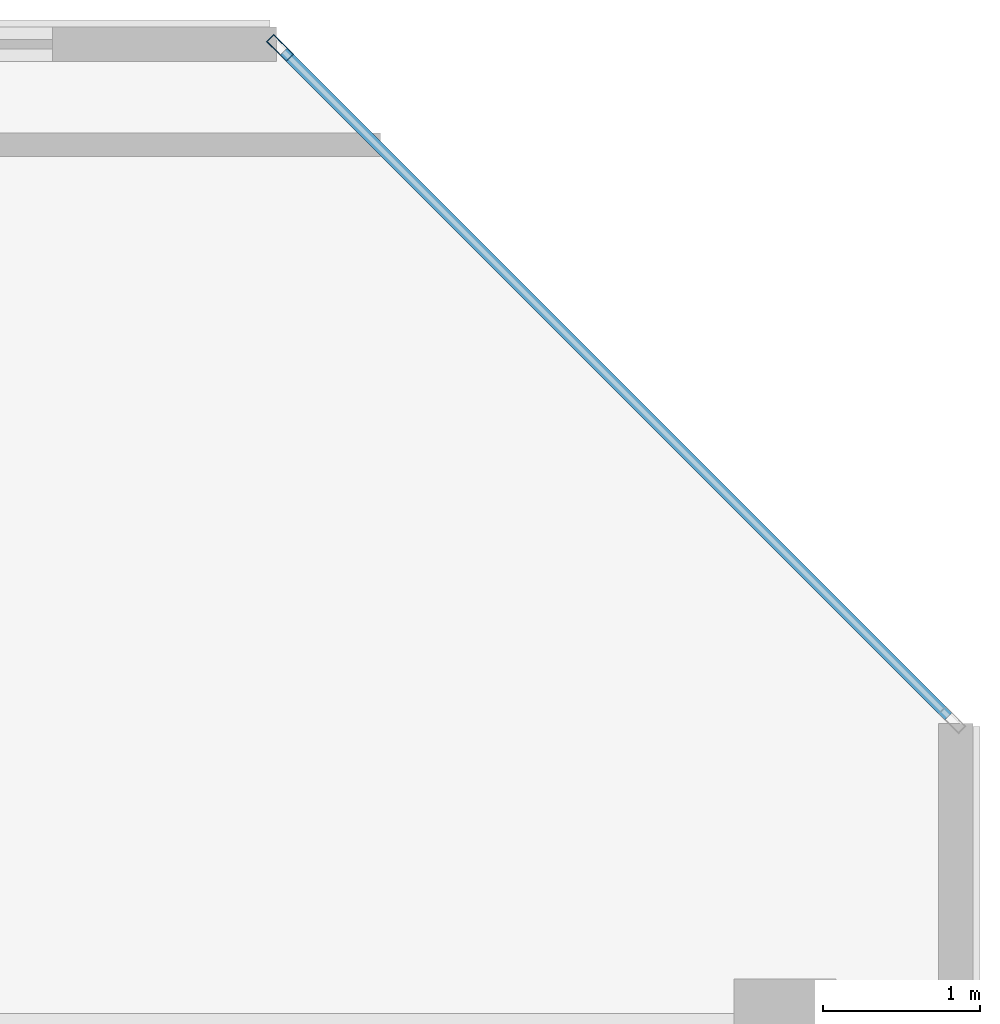
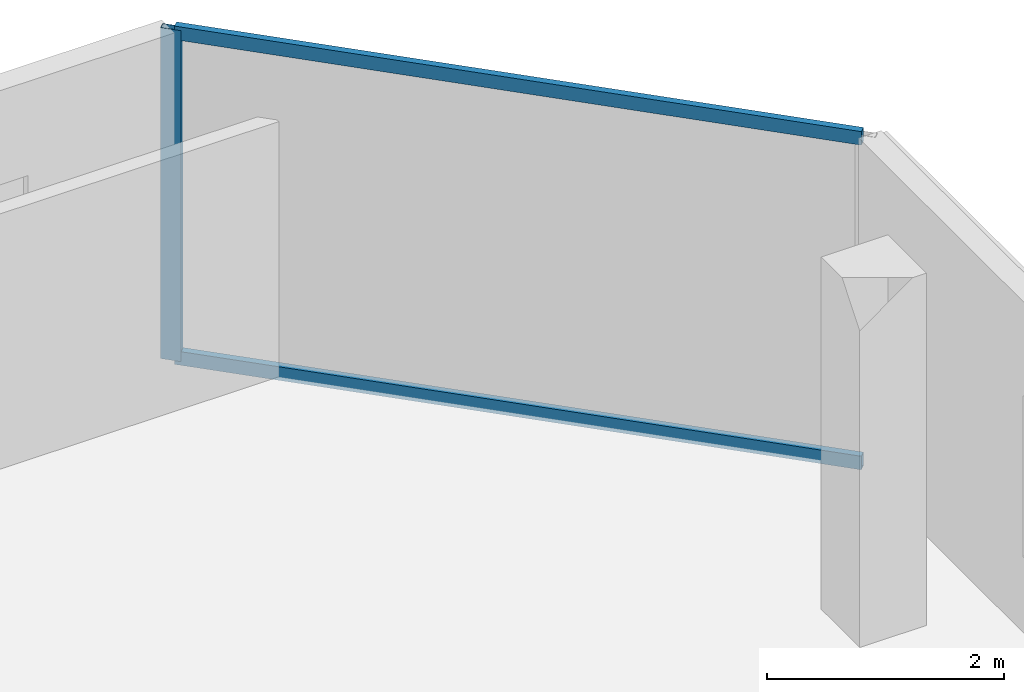
# One storey, part 19 of 28: 3 members, 1 element without a shape of its own.
"""IFC4 building model written with IfcOpenShell, lengths in metres."""

from ifc_helpers import new_model, si_unit, direction, frame, origin, origin_2d, place, context, subcontext, project, spatial, hollow_rectangle, extrude, material, layer, layer_set, material_profile, profile_set, type_object, element, aggregate, save


model = new_model("IFC4")

# Units and contexts
model_context = context("Model", 3, precision=1e-05, world=origin(), true_north=direction((0.0, 1.0)))
body_context = subcontext(model_context, "Body", "Model", "MODEL_VIEW")
ifc_project = project(units=[si_unit("LENGTHUNIT", "METRE"), si_unit("AREAUNIT", "SQUARE_METRE"), si_unit("VOLUMEUNIT", "CUBIC_METRE"), si_unit("PLANEANGLEUNIT", "RADIAN"), si_unit("MASSUNIT", "GRAM", prefix="KILO")], contexts=[model_context])

# Site, building, storey
site_placement = place(None, origin())
site = spatial("IfcSite", under=ifc_project, at=site_placement, CompositionType="ELEMENT")
building_placement = place(site_placement, origin())
building = spatial("IfcBuilding", under=site, at=building_placement, Name="Tanjung Sevakor Pilgrim Tower", CompositionType="ELEMENT")
storey_placement = place(building_placement, frame((0.0, 0.0, 249.81005859375)))
storey = spatial("IfcBuildingStorey", under=building, at=storey_placement, Name="L70", CompositionType="ELEMENT", Elevation=249.81005859375)

# Curtain wall, members
ifc_material_1 = material(Name="Aluminium 6063-T6 and Low-E Glass", Category="aluminium")
ifc_layer = layer(ifc_material_1, 0.179931640625)
ifc_layer_set = layer_set([ifc_layer], Name="CW-SYS-CHAM")
curtain_wall_type = type_object("IfcCurtainWallType", Name="CW-SYS-CHAM", PredefinedType="NOTDEFINED", material=ifc_layer_set)
curtain_wall_placement = place(storey_placement, origin())
curtain_wall = element("IfcCurtainWall", 1, at=curtain_wall_placement, inside=storey, type_object=curtain_wall_type, Name="L70 Curtain Wall CW-CHM-L70-EAST-3", PredefinedType="NOTDEFINED")
ifc_material_2 = material(Name="Aluminium 6063-T6", Category="aluminium")
ifc_material_profile_1 = material_profile(ifc_material_2, hollow_rectangle(XDim=0.06494140625, YDim=0.179931640625, WallThickness=0.00390625, at=origin_2d()))
ifc_profile_set_1 = profile_set([ifc_material_profile_1], Name="Aluminium 6063-T6")
member_type_1 = type_object("IfcMemberType", Name="TYPE-CWM-1", PredefinedType="MULLION", material=ifc_profile_set_1)
member_1_placement = place(storey_placement, frame((94.77734375, 54.866943359375, 0.0), z_axis=(0.0, 0.0, 1.0), x_axis=(-0.707106781187, -0.707106781187, 0.0)))
member_1 = element("IfcMember", 2, at=member_1_placement, type_object=member_type_1, Name="CW-CHM mullion 2", PredefinedType="MULLION", context=body_context, shape_type="SweptSolid", body=[
    extrude(hollow_rectangle(XDim=0.06494140625, YDim=0.179931640625, WallThickness=0.00390625, at=origin_2d()), origin(), (0.0, 0.0, 1.0), 3.409912109375),
])
ifc_material_3 = material(Name="Aluminium 6063-T6", Category="aluminium")
ifc_material_profile_2 = material_profile(ifc_material_3, hollow_rectangle(XDim=0.06494140625, YDim=0.139892578125, WallThickness=0.00390625, at=origin_2d()))
ifc_profile_set_2 = profile_set([ifc_material_profile_2], Name="Aluminium 6063-T6")
member_type_2 = type_object("IfcMemberType", Name="TYPE-CWT-1", PredefinedType="USERDEFINED", material=ifc_profile_set_2)
member_2_placement = place(storey_placement, frame((99.0439453125, 50.600341796875, 0.032470703125), z_axis=(-0.707106781187, 0.707106781187, 0.0), x_axis=(-0.707106781187, -0.707106781187, 0.0)))
member_2 = element("IfcMember", 3, at=member_2_placement, type_object=member_type_2, Name="CW-CHM transom 1.1", ObjectType="TRANSOM", PredefinedType="USERDEFINED", context=body_context, shape_type="SweptSolid", body=[
    extrude(hollow_rectangle(XDim=0.06494140625, YDim=0.139892578125, WallThickness=0.00390625, at=origin_2d()), origin(), (0.0, 0.0, 1.0), 6.00146484375),
])
member_3_placement = place(storey_placement, frame((99.0439453125, 50.600341796875, 3.37744140625), z_axis=(-0.707106781187, 0.707106781187, 0.0), x_axis=(-0.707106781187, -0.707106781187, 0.0)))
member_3 = element("IfcMember", 4, at=member_3_placement, type_object=member_type_2, Name="CW-CHM transom 1.2", ObjectType="TRANSOM", PredefinedType="USERDEFINED", context=body_context, shape_type="SweptSolid", body=[
    extrude(hollow_rectangle(XDim=0.06494140625, YDim=0.139892578125, WallThickness=0.00390625, at=origin_2d()), origin(), (0.0, 0.0, 1.0), 6.00146484375),
])
aggregate(curtain_wall, [member_1, member_2, member_3])

save(model, "model.ifc")
